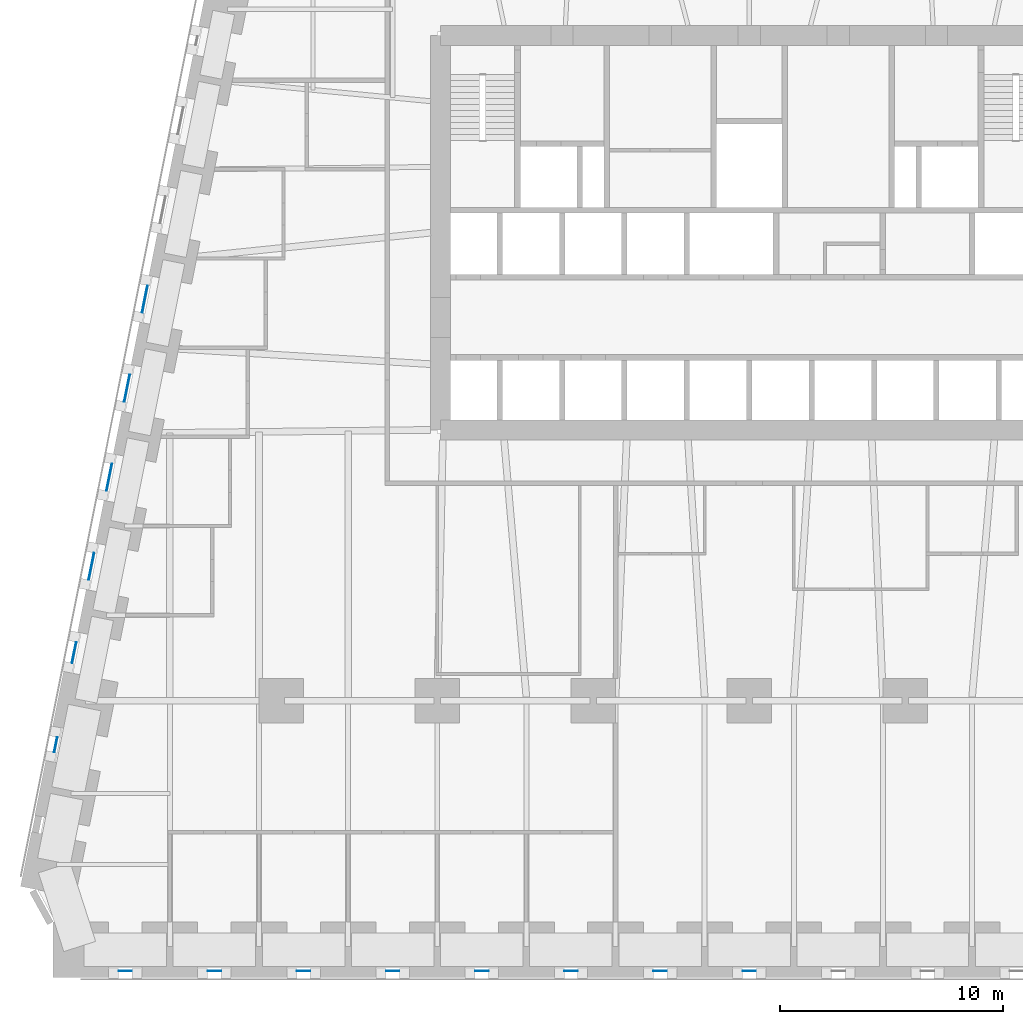
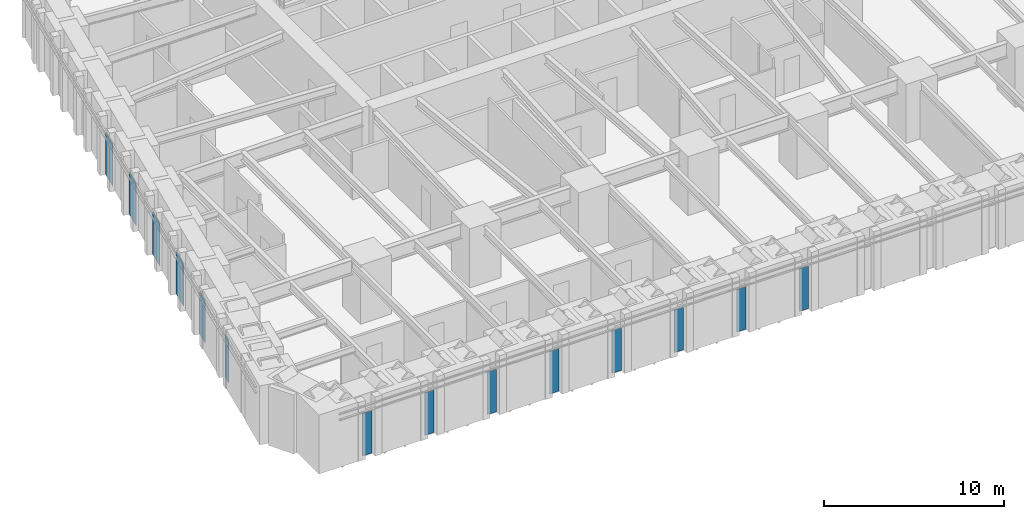
# One storey, part 7 of 17: 14 plates, 14 elements without a shape of their own.
"""IFC4 building model written with IfcOpenShell, lengths in metres."""

from ifc_helpers import new_model, si_unit, direction, frame, origin, origin_2d, place, context, subcontext, project, spatial, rectangle, extrude, material, layer, layer_set, type_object, element, aggregate, save


model = new_model("IFC4")

# Units and contexts
model_context = context("Model", 3, precision=1e-05, world=origin(), true_north=direction((0.0, 1.0)))
body_context = subcontext(model_context, "Body", "Model", "MODEL_VIEW")
ifc_project = project(units=[si_unit("LENGTHUNIT", "METRE"), si_unit("AREAUNIT", "SQUARE_METRE"), si_unit("VOLUMEUNIT", "CUBIC_METRE"), si_unit("PLANEANGLEUNIT", "RADIAN"), si_unit("MASSUNIT", "GRAM", prefix="KILO")], contexts=[model_context])

# Site, building, storey
site_placement = place(None, origin())
site = spatial("IfcSite", under=ifc_project, at=site_placement, CompositionType="ELEMENT")
building_placement = place(site_placement, origin())
building = spatial("IfcBuilding", under=site, at=building_placement, Name="Isbrekke Arena Tower", CompositionType="ELEMENT")
storey_placement = place(building_placement, frame((0.0, 0.0, 48.0)))
storey = spatial("IfcBuildingStorey", under=building, at=storey_placement, Name="L09", CompositionType="ELEMENT", Elevation=48.0)

# Curtain wall, plate
ifc_material_1 = material(Name="Glazed aluminium curtain wall", Category="aluminium")
curtain_wall_type = type_object("IfcCurtainWallType", Name="CWL TOWER CURTAIN WALL LOW ZONE", PredefinedType="USERDEFINED", material=ifc_material_1)
curtain_wall_1_placement = place(storey_placement, origin())
curtain_wall_1 = element("IfcCurtainWall", 1, at=curtain_wall_1_placement, inside=storey, type_object=curtain_wall_type, Name="CWL curtain wall L09-S", ObjectType="TOWER CURTAIN WALL LOW ZONE", PredefinedType="USERDEFINED")
ifc_material_2 = material(Name="Triple-glazed clear glass unit", Category="glass")
ifc_layer = layer(ifc_material_2, 0.031982421875)
ifc_layer_set = layer_set([ifc_layer], Name="CWL-P VISION PANEL")
plate_type = type_object("IfcPlateType", Name="CWL-P VISION PANEL", PredefinedType="CURTAIN_PANEL", material=ifc_layer_set)
plate_1_placement = place(storey_placement, frame((-28.0009765625, -18.125, 0.02001953125), z_axis=(0.0, 0.0, 1.0), x_axis=(1.0, 0.0, 0.0)))
plate_1 = element("IfcPlate", 2, at=plate_1_placement, type_object=plate_type, Name="CWL-P panel 1", PredefinedType="CURTAIN_PANEL", context=body_context, shape_type="SweptSolid", body=[
    extrude(rectangle(XDim=0.60205078125, YDim=0.031982421875, at=origin_2d()), origin(), (0.0, 0.0, 1.0), 2.8798828125),
])
aggregate(curtain_wall_1, [plate_1])

curtain_wall_2_placement = place(storey_placement, origin())
curtain_wall_2 = element("IfcCurtainWall", 3, at=curtain_wall_2_placement, inside=storey, type_object=curtain_wall_type, Name="CWL curtain wall L09-S3", ObjectType="TOWER CURTAIN WALL LOW ZONE", PredefinedType="USERDEFINED")
plate_2_placement = place(storey_placement, frame((-24.0, -18.125, 0.02001953125), z_axis=(0.0, 0.0, 1.0), x_axis=(1.0, 0.0, 0.0)))
plate_2 = element("IfcPlate", 4, at=plate_2_placement, type_object=plate_type, Name="CWL-P panel 1", PredefinedType="CURTAIN_PANEL", context=body_context, shape_type="SweptSolid", body=[
    extrude(rectangle(XDim=0.60009765625, YDim=0.031982421875, at=origin_2d()), origin(), (0.0, 0.0, 1.0), 2.8798828125),
])
aggregate(curtain_wall_2, [plate_2])

curtain_wall_3_placement = place(storey_placement, origin())
curtain_wall_3 = element("IfcCurtainWall", 5, at=curtain_wall_3_placement, inside=storey, type_object=curtain_wall_type, Name="CWL curtain wall L09-S5", ObjectType="TOWER CURTAIN WALL LOW ZONE", PredefinedType="USERDEFINED")
plate_3_placement = place(storey_placement, frame((-20.0, -18.125, 0.02001953125), z_axis=(0.0, 0.0, 1.0), x_axis=(1.0, 0.0, 0.0)))
plate_3 = element("IfcPlate", 6, at=plate_3_placement, type_object=plate_type, Name="CWL-P panel 1", PredefinedType="CURTAIN_PANEL", context=body_context, shape_type="SweptSolid", body=[
    extrude(rectangle(XDim=0.60009765625, YDim=0.031982421875, at=origin_2d()), origin(), (0.0, 0.0, 1.0), 2.8798828125),
])
aggregate(curtain_wall_3, [plate_3])

curtain_wall_4_placement = place(storey_placement, origin())
curtain_wall_4 = element("IfcCurtainWall", 7, at=curtain_wall_4_placement, inside=storey, type_object=curtain_wall_type, Name="CWL curtain wall L09-S7", ObjectType="TOWER CURTAIN WALL LOW ZONE", PredefinedType="USERDEFINED")
plate_4_placement = place(storey_placement, frame((-16.0, -18.125, 0.02001953125), z_axis=(0.0, 0.0, 1.0), x_axis=(1.0, 0.0, 0.0)))
plate_4 = element("IfcPlate", 8, at=plate_4_placement, type_object=plate_type, Name="CWL-P panel 1", PredefinedType="CURTAIN_PANEL", context=body_context, shape_type="SweptSolid", body=[
    extrude(rectangle(XDim=0.60009765625, YDim=0.031982421875, at=origin_2d()), origin(), (0.0, 0.0, 1.0), 2.8798828125),
])
aggregate(curtain_wall_4, [plate_4])

curtain_wall_5_placement = place(storey_placement, origin())
curtain_wall_5 = element("IfcCurtainWall", 9, at=curtain_wall_5_placement, inside=storey, type_object=curtain_wall_type, Name="CWL curtain wall L09-S9", ObjectType="TOWER CURTAIN WALL LOW ZONE", PredefinedType="USERDEFINED")
plate_5_placement = place(storey_placement, frame((-12.0, -18.125, 0.02001953125), z_axis=(0.0, 0.0, 1.0), x_axis=(1.0, 0.0, 0.0)))
plate_5 = element("IfcPlate", 10, at=plate_5_placement, type_object=plate_type, Name="CWL-P panel 1", PredefinedType="CURTAIN_PANEL", context=body_context, shape_type="SweptSolid", body=[
    extrude(rectangle(XDim=0.60009765625, YDim=0.031982421875, at=origin_2d()), origin(), (0.0, 0.0, 1.0), 2.8798828125),
])
aggregate(curtain_wall_5, [plate_5])

curtain_wall_6_placement = place(storey_placement, origin())
curtain_wall_6 = element("IfcCurtainWall", 11, at=curtain_wall_6_placement, inside=storey, type_object=curtain_wall_type, Name="CWL curtain wall L09-S11", ObjectType="TOWER CURTAIN WALL LOW ZONE", PredefinedType="USERDEFINED")
plate_6_placement = place(storey_placement, frame((-8.0, -18.125, 0.02001953125), z_axis=(0.0, 0.0, 1.0), x_axis=(1.0, 0.0, 0.0)))
plate_6 = element("IfcPlate", 12, at=plate_6_placement, type_object=plate_type, Name="CWL-P panel 1", PredefinedType="CURTAIN_PANEL", context=body_context, shape_type="SweptSolid", body=[
    extrude(rectangle(XDim=0.60009765625, YDim=0.031982421875, at=origin_2d()), origin(), (0.0, 0.0, 1.0), 2.8798828125),
])
aggregate(curtain_wall_6, [plate_6])

curtain_wall_7_placement = place(storey_placement, origin())
curtain_wall_7 = element("IfcCurtainWall", 13, at=curtain_wall_7_placement, inside=storey, type_object=curtain_wall_type, Name="CWL curtain wall L09-S13", ObjectType="TOWER CURTAIN WALL LOW ZONE", PredefinedType="USERDEFINED")
plate_7_placement = place(storey_placement, frame((-4.0, -18.125, 0.02001953125), z_axis=(0.0, 0.0, 1.0), x_axis=(1.0, 0.0, 0.0)))
plate_7 = element("IfcPlate", 14, at=plate_7_placement, type_object=plate_type, Name="CWL-P panel 1", PredefinedType="CURTAIN_PANEL", context=body_context, shape_type="SweptSolid", body=[
    extrude(rectangle(XDim=0.60009765625, YDim=0.031982421875, at=origin_2d()), origin(), (0.0, 0.0, 1.0), 2.8798828125),
])
aggregate(curtain_wall_7, [plate_7])

curtain_wall_8_placement = place(storey_placement, origin())
curtain_wall_8 = element("IfcCurtainWall", 15, at=curtain_wall_8_placement, inside=storey, type_object=curtain_wall_type, Name="CWL curtain wall L09-S15", ObjectType="TOWER CURTAIN WALL LOW ZONE", PredefinedType="USERDEFINED")
plate_8_placement = place(storey_placement, frame((0.0, -18.125, 0.02001953125), z_axis=(0.0, 0.0, 1.0), x_axis=(1.0, 0.0, 0.0)))
plate_8 = element("IfcPlate", 16, at=plate_8_placement, type_object=plate_type, Name="CWL-P panel 1", PredefinedType="CURTAIN_PANEL", context=body_context, shape_type="SweptSolid", body=[
    extrude(rectangle(XDim=0.60009765625, YDim=0.031982421875, at=origin_2d()), origin(), (0.0, 0.0, 1.0), 2.8798828125),
])
aggregate(curtain_wall_8, [plate_8])

curtain_wall_9_placement = place(storey_placement, origin())
curtain_wall_9 = element("IfcCurtainWall", 17, at=curtain_wall_9_placement, inside=storey, type_object=curtain_wall_type, Name="CWL curtain wall L09-W7", ObjectType="TOWER CURTAIN WALL LOW ZONE", PredefinedType="USERDEFINED")
plate_9_placement = place(storey_placement, frame((-27.12255859375, 12.0244140625, 0.02001953125), z_axis=(0.0, 0.0, 1.0), x_axis=(-0.196116135138, -0.980580675691, 0.0)))
plate_9 = element("IfcPlate", 18, at=plate_9_placement, type_object=plate_type, Name="CWL-P panel 1", PredefinedType="CURTAIN_PANEL", context=body_context, shape_type="SweptSolid", body=[
    extrude(rectangle(XDim=1.229248046875, YDim=0.031982421875, at=origin_2d()), origin(), (0.0, 0.0, 1.0), 2.8798828125),
])
aggregate(curtain_wall_9, [plate_9])

curtain_wall_10_placement = place(storey_placement, origin())
curtain_wall_10 = element("IfcCurtainWall", 19, at=curtain_wall_10_placement, inside=storey, type_object=curtain_wall_type, Name="CWL curtain wall L09-W9", ObjectType="TOWER CURTAIN WALL LOW ZONE", PredefinedType="USERDEFINED")
plate_10_placement = place(storey_placement, frame((-27.922607421875, 8.0244140625, 0.02001953125), z_axis=(0.0, 0.0, 1.0), x_axis=(-0.196116135138, -0.980580675691, 0.0)))
plate_10 = element("IfcPlate", 20, at=plate_10_placement, type_object=plate_type, Name="CWL-P panel 1", PredefinedType="CURTAIN_PANEL", context=body_context, shape_type="SweptSolid", body=[
    extrude(rectangle(XDim=1.229248046875, YDim=0.031982421875, at=origin_2d()), origin(), (0.0, 0.0, 1.0), 2.8798828125),
])
aggregate(curtain_wall_10, [plate_10])

curtain_wall_11_placement = place(storey_placement, origin())
curtain_wall_11 = element("IfcCurtainWall", 21, at=curtain_wall_11_placement, inside=storey, type_object=curtain_wall_type, Name="CWL curtain wall L09-W11", ObjectType="TOWER CURTAIN WALL LOW ZONE", PredefinedType="USERDEFINED")
plate_11_placement = place(storey_placement, frame((-28.72265625, 4.0244140625, 0.02001953125), z_axis=(0.0, 0.0, 1.0), x_axis=(-0.196116135138, -0.980580675691, 0.0)))
plate_11 = element("IfcPlate", 22, at=plate_11_placement, type_object=plate_type, Name="CWL-P panel 1", PredefinedType="CURTAIN_PANEL", context=body_context, shape_type="SweptSolid", body=[
    extrude(rectangle(XDim=1.229248046875, YDim=0.031982421875, at=origin_2d()), origin(), (0.0, 0.0, 1.0), 2.8798828125),
])
aggregate(curtain_wall_11, [plate_11])

curtain_wall_12_placement = place(storey_placement, origin())
curtain_wall_12 = element("IfcCurtainWall", 23, at=curtain_wall_12_placement, inside=storey, type_object=curtain_wall_type, Name="CWL curtain wall L09-W13", ObjectType="TOWER CURTAIN WALL LOW ZONE", PredefinedType="USERDEFINED")
plate_12_placement = place(storey_placement, frame((-29.5224609375, 0.0244140625, 0.02001953125), z_axis=(0.0, 0.0, 1.0), x_axis=(-0.196116135138, -0.980580675691, 0.0)))
plate_12 = element("IfcPlate", 24, at=plate_12_placement, type_object=plate_type, Name="CWL-P panel 1", PredefinedType="CURTAIN_PANEL", context=body_context, shape_type="SweptSolid", body=[
    extrude(rectangle(XDim=1.229248046875, YDim=0.031982421875, at=origin_2d()), origin(), (0.0, 0.0, 1.0), 2.8798828125),
])
aggregate(curtain_wall_12, [plate_12])

curtain_wall_13_placement = place(storey_placement, origin())
curtain_wall_13 = element("IfcCurtainWall", 25, at=curtain_wall_13_placement, inside=storey, type_object=curtain_wall_type, Name="CWL curtain wall L09-W15", ObjectType="TOWER CURTAIN WALL LOW ZONE", PredefinedType="USERDEFINED")
plate_13_placement = place(storey_placement, frame((-30.295654296875, -3.840576171875, 0.02001953125), z_axis=(0.0, 0.0, 1.0), x_axis=(-0.196116135138, -0.980580675691, 0.0)))
plate_13 = element("IfcPlate", 26, at=plate_13_placement, type_object=plate_type, Name="CWL-P panel 1", PredefinedType="CURTAIN_PANEL", context=body_context, shape_type="SweptSolid", body=[
    extrude(rectangle(XDim=0.9541015625, YDim=0.031982421875, at=origin_2d()), origin(), (0.0, 0.0, 1.0), 2.8798828125),
])
aggregate(curtain_wall_13, [plate_13])

curtain_wall_14_placement = place(storey_placement, origin())
curtain_wall_14 = element("IfcCurtainWall", 27, at=curtain_wall_14_placement, inside=storey, type_object=curtain_wall_type, Name="CWL curtain wall L09-W17", ObjectType="TOWER CURTAIN WALL LOW ZONE", PredefinedType="USERDEFINED")
plate_14_placement = place(storey_placement, frame((-31.12255859375, -7.9755859375, 0.02001953125), z_axis=(0.0, 0.0, 1.0), x_axis=(-0.196116135138, -0.980580675691, 0.0)))
plate_14 = element("IfcPlate", 28, at=plate_14_placement, type_object=plate_type, Name="CWL-P panel 1", PredefinedType="CURTAIN_PANEL", context=body_context, shape_type="SweptSolid", body=[
    extrude(rectangle(XDim=0.67919921875, YDim=0.031982421875, at=origin_2d()), origin(), (0.0, 0.0, 1.0), 2.8798828125),
])
aggregate(curtain_wall_14, [plate_14])

save(model, "model.ifc")
